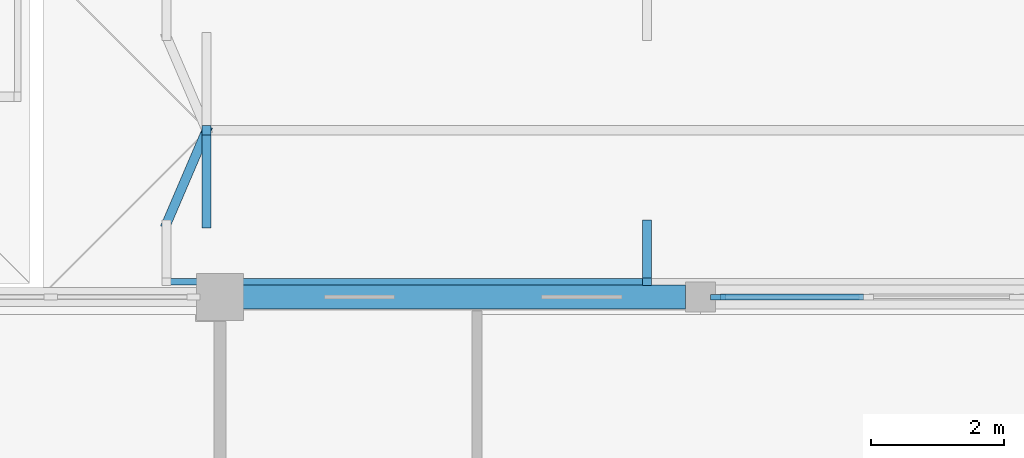
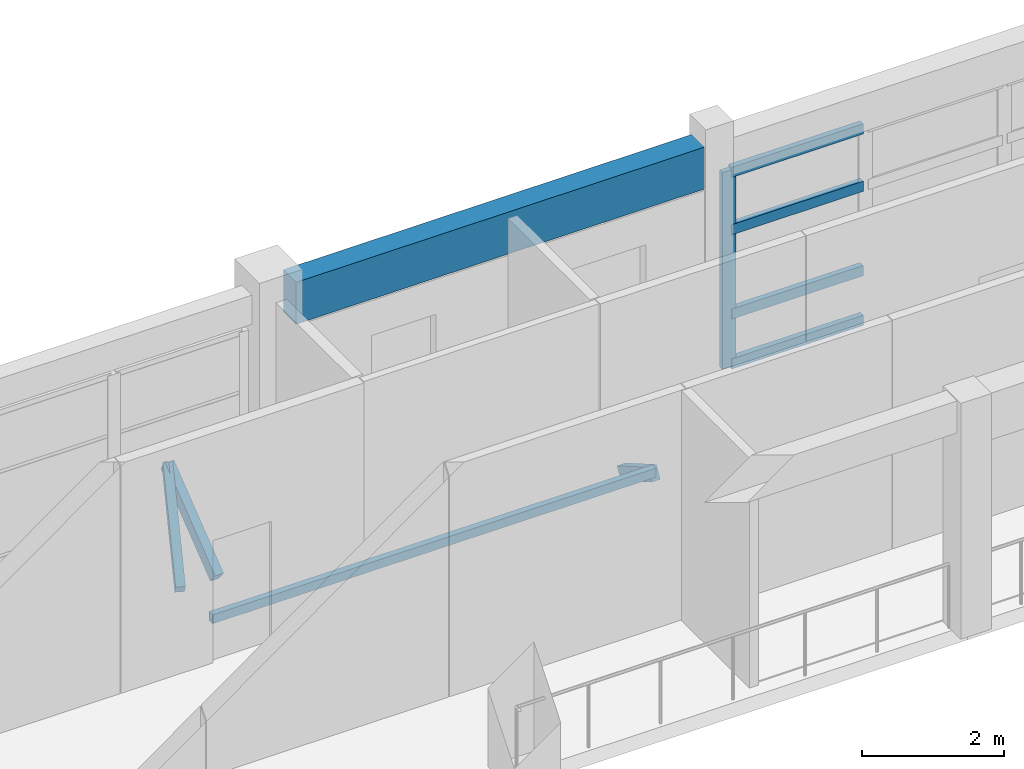
# One storey, part 8 of 110: 9 members, 1 beam, 1 element without a shape of its own.
"""IFC4 building model written with IfcOpenShell, lengths in metres."""

from ifc_helpers import new_model, si_unit, direction, frame, origin, origin_2d, place, context, subcontext, project, spatial, rectangle, hollow_rectangle, extrude, material, material_profile, profile_set, type_object, element, aggregate, save


model = new_model("IFC4")

# Units and contexts
model_context = context("Model", 3, precision=1e-05, world=origin(), true_north=direction((0.0, 1.0)))
body_context = subcontext(model_context, "Body", "Model", "MODEL_VIEW")
ifc_project = project(units=[si_unit("LENGTHUNIT", "METRE"), si_unit("AREAUNIT", "SQUARE_METRE"), si_unit("VOLUMEUNIT", "CUBIC_METRE"), si_unit("PLANEANGLEUNIT", "RADIAN"), si_unit("MASSUNIT", "GRAM", prefix="KILO")], contexts=[model_context])

# Site, building, storey
site_placement = place(None, origin())
site = spatial("IfcSite", under=ifc_project, at=site_placement, CompositionType="ELEMENT")
building_placement = place(site_placement, origin())
building = spatial("IfcBuilding", under=site, at=building_placement, Name="Steenspoor Specialist Clinic", CompositionType="ELEMENT")
storey_placement = place(building_placement, frame((0.0, 0.0, 4.800048828125)))
storey = spatial("IfcBuildingStorey", under=building, at=storey_placement, Name="L01", CompositionType="ELEMENT", Elevation=4.800048828125)

# Curtain wall, members
ifc_material_1 = material(Name="Thermally broken aluminium and low-emissivity glass", Category="aluminium")
curtain_wall_type = type_object("IfcCurtainWallType", Name="CW-STR-220X415", PredefinedType="USERDEFINED", material=ifc_material_1)
curtain_wall_placement = place(storey_placement, origin())
curtain_wall = element("IfcCurtainWall", 1, at=curtain_wall_placement, inside=storey, type_object=curtain_wall_type, Name="Unitised Curtain Wall CW-V1-L01-024", ObjectType="UNITISED GLAZING", PredefinedType="USERDEFINED")
ifc_material_2 = material(Name="Thermally broken aluminium 6063-T6", Category="aluminium")
ifc_material_profile_1 = material_profile(ifc_material_2, rectangle(XDim=0.080078125, YDim=0.219970703125, at=origin_2d()), Name="CWM-80X220")
ifc_profile_set_1 = profile_set([ifc_material_profile_1], Name="Thermally broken aluminium 6063-T6")
member_type_1 = type_object("IfcMemberType", Name="CW-MULL-80X220", PredefinedType="MULLION", material=ifc_profile_set_1)
member_1_placement = place(storey_placement, frame((67.06494140625, 41.85009765625, 0.0), z_axis=(0.0, 0.0, 1.0), x_axis=(0.0, 1.0, 0.0)))
member_1 = element("IfcMember", 2, at=member_1_placement, type_object=member_type_1, Name="CW-24 mullion 1", PredefinedType="MULLION", context=body_context, shape_type="SweptSolid", body=[
    extrude(rectangle(XDim=0.080078125, YDim=0.219970703125, at=origin_2d()), origin(), (0.0, 0.0, 1.0), 3.3798828125),
])
ifc_material_profile_2 = material_profile(ifc_material_2, rectangle(XDim=0.090087890625, YDim=0.175048828125, at=origin_2d()), Name="CWT-90X175")
ifc_profile_set_2 = profile_set([ifc_material_profile_2], Name="Thermally broken aluminium 6063-T6")
member_type_2 = type_object("IfcMemberType", Name="CW-TRAN-90X175", PredefinedType="USERDEFINED", material=ifc_profile_set_2)
member_2_placement = place(storey_placement, frame((67.10498046875, 41.85009765625, 0.044921875), z_axis=(1.0, 0.0, 0.0), x_axis=(0.0, 1.0, 0.0)))
member_2 = element("IfcMember", 3, at=member_2_placement, type_object=member_type_2, Name="CW-24 transom 1.1", ObjectType="TRANSOM", PredefinedType="USERDEFINED", context=body_context, shape_type="SweptSolid", body=[
    extrude(rectangle(XDim=0.090087890625, YDim=0.175048828125, at=origin_2d()), origin(), (0.0, 0.0, 1.0), 2.138427734375),
])
member_3_placement = place(storey_placement, frame((67.10498046875, 41.85009765625, 0.89990234375), z_axis=(1.0, 0.0, 0.0), x_axis=(0.0, 1.0, 0.0)))
member_3 = element("IfcMember", 4, at=member_3_placement, type_object=member_type_2, Name="CW-24 transom 1.2", ObjectType="TRANSOM", PredefinedType="USERDEFINED", context=body_context, shape_type="SweptSolid", body=[
    extrude(rectangle(XDim=0.090087890625, YDim=0.175048828125, at=origin_2d()), origin(), (0.0, 0.0, 1.0), 2.138427734375),
])
member_4_placement = place(storey_placement, frame((67.10498046875, 41.85009765625, 2.349853515625), z_axis=(1.0, 0.0, 0.0), x_axis=(0.0, 1.0, 0.0)))
member_4 = element("IfcMember", 5, at=member_4_placement, type_object=member_type_2, Name="CW-24 transom 1.3", ObjectType="TRANSOM", PredefinedType="USERDEFINED", context=body_context, shape_type="SweptSolid", body=[
    extrude(rectangle(XDim=0.090087890625, YDim=0.175048828125, at=origin_2d()), origin(), (0.0, 0.0, 1.0), 2.138427734375),
])
member_5_placement = place(storey_placement, frame((67.10498046875, 41.85009765625, 3.3349609375), z_axis=(1.0, 0.0, 0.0), x_axis=(0.0, 1.0, 0.0)))
member_5 = element("IfcMember", 6, at=member_5_placement, type_object=member_type_2, Name="CW-24 transom 1.4", ObjectType="TRANSOM", PredefinedType="USERDEFINED", context=body_context, shape_type="SweptSolid", body=[
    extrude(rectangle(XDim=0.090087890625, YDim=0.175048828125, at=origin_2d()), origin(), (0.0, 0.0, 1.0), 2.138427734375),
])
aggregate(curtain_wall, [member_1, member_2, member_3, member_4, member_5])

# Members
ifc_material_3 = material(Name="Steel A500 Grade C", Category="steel")
ifc_material_profile_3 = material_profile(ifc_material_3, hollow_rectangle(XDim=0.1015625, YDim=0.15234375, WallThickness=0.005859375, at=origin_2d()), Name="HSS152X102X6.4")
ifc_profile_set_3 = profile_set([ifc_material_profile_3], Name="Steel A500 Grade C")
member_type_3 = type_object("IfcMemberType", Name="MEM-PURLIN-H152", PredefinedType="PURLIN", material=ifc_profile_set_3)
member_6_placement = place(storey_placement, frame((58.800048828125, 42.080078125, -1.571533203125), z_axis=(1.0, 0.0, 0.0), x_axis=(0.0, 1.0, 0.0)))
element("IfcMember", 7, at=member_6_placement, inside=storey, type_object=member_type_3, Name="Walkway Fascia WK5 600", PredefinedType="PURLIN", context=body_context, shape_type="SweptSolid", body=[
    extrude(hollow_rectangle(XDim=0.1015625, YDim=0.15234375, WallThickness=0.005859375, at=origin_2d()), origin(), (0.0, 0.0, 1.0), 7.199951171875),
])
ifc_material_4 = material(Name="Glulam GL28h", Category="wood")
ifc_material_profile_4 = material_profile(ifc_material_4, rectangle(XDim=0.139892578125, YDim=0.219970703125, at=origin_2d()), Name="GL28H-140X220")
ifc_profile_set_4 = profile_set([ifc_material_profile_4], Name="Glulam GL28h")
member_type_4 = type_object("IfcMemberType", Name="MEM-RAFTER-GL220", PredefinedType="RAFTER", material=ifc_profile_set_4)
member_7_placement = place(storey_placement, frame((66.0, 42.949951171875, -2.114990234375), z_axis=(0.0, -0.865930570761, 0.500164219654), x_axis=(1.0, 0.0, 0.0)))
element("IfcMember", 8, at=member_7_placement, inside=storey, type_object=member_type_4, Name="Walkway Eave Outrigger WK5 429", PredefinedType="RAFTER", context=body_context, shape_type="SweptSolid", body=[
    extrude(rectangle(XDim=0.139892578125, YDim=0.219970703125, at=origin_2d()), origin(), (0.0, 0.0, 1.0), 1.004638671875),
])
member_8_placement = place(storey_placement, frame((59.39990234375, 42.949951171875, -1.614990234375), z_axis=(0.0, 0.787788987788, 0.615945217304), x_axis=(-1.0, 0.0, 0.0)))
element("IfcMember", 9, at=member_8_placement, inside=storey, type_object=member_type_4, Name="Walkway Rafter WK5", PredefinedType="RAFTER", context=body_context, shape_type="SweptSolid", body=[
    extrude(rectangle(XDim=0.139892578125, YDim=0.219970703125, at=origin_2d()), origin(), (0.0, 0.0, 1.0), 1.77734375),
])
member_9_placement = place(storey_placement, frame((58.800048828125, 42.949951171875, -1.614990234375), z_axis=(0.319783841648, 0.746422601485, 0.583602257203), x_axis=(-0.919194764162, 0.393803232005, 0.0)))
element("IfcMember", 10, at=member_9_placement, inside=storey, type_object=member_type_4, Name="Walkway Hip Rafter WK5", PredefinedType="RAFTER", context=body_context, shape_type="SweptSolid", body=[
    extrude(rectangle(XDim=0.139892578125, YDim=0.219970703125, at=origin_2d()), origin(), (0.0, 0.0, 1.0), 1.875732421875),
])

# Beam
ifc_material_5 = material(Name="Concrete C35/45", Category="concrete")
ifc_material_profile_5 = material_profile(ifc_material_5, rectangle(XDim=0.360107421875, YDim=0.719970703125, at=origin_2d()), Name="RC-SP-360X720")
ifc_profile_set_5 = profile_set([ifc_material_profile_5], Name="Concrete C35/45")
beam_type = type_object("IfcBeamType", Name="SP-RC-360X720", PredefinedType="SPANDREL", material=ifc_profile_set_5)
beam_placement = place(storey_placement, frame((59.945068359375, 41.85009765625, 3.675048828125), z_axis=(1.0, 0.0, 0.0), x_axis=(0.0, 1.0, 0.0)))
element("IfcBeam", 11, at=beam_placement, inside=storey, type_object=beam_type, Name="BM-V1-L01-X0146", PredefinedType="SPANDREL", context=body_context, shape_type="SweptSolid", body=[
    extrude(rectangle(XDim=0.360107421875, YDim=0.719970703125, at=origin_2d()), origin(), (0.0, 0.0, 1.0), 6.635009765625),
])

save(model, "model.ifc")
